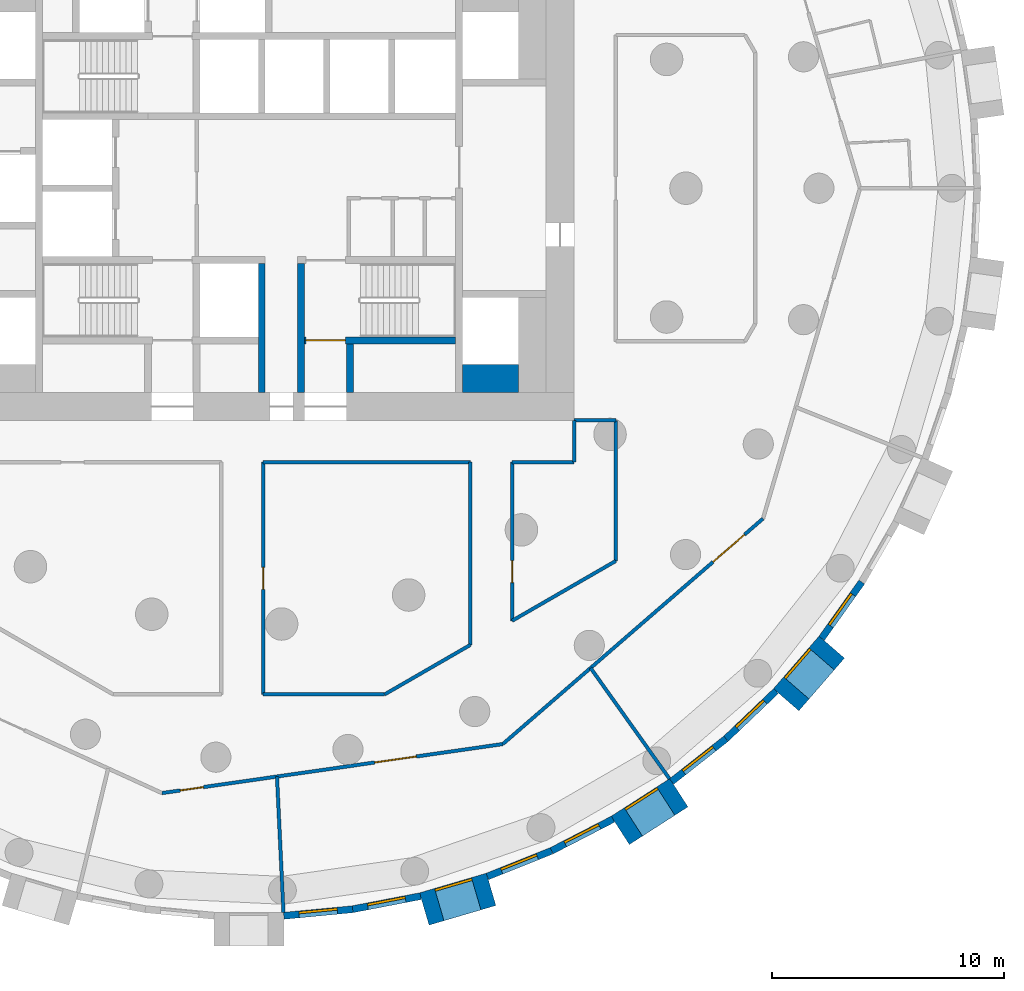
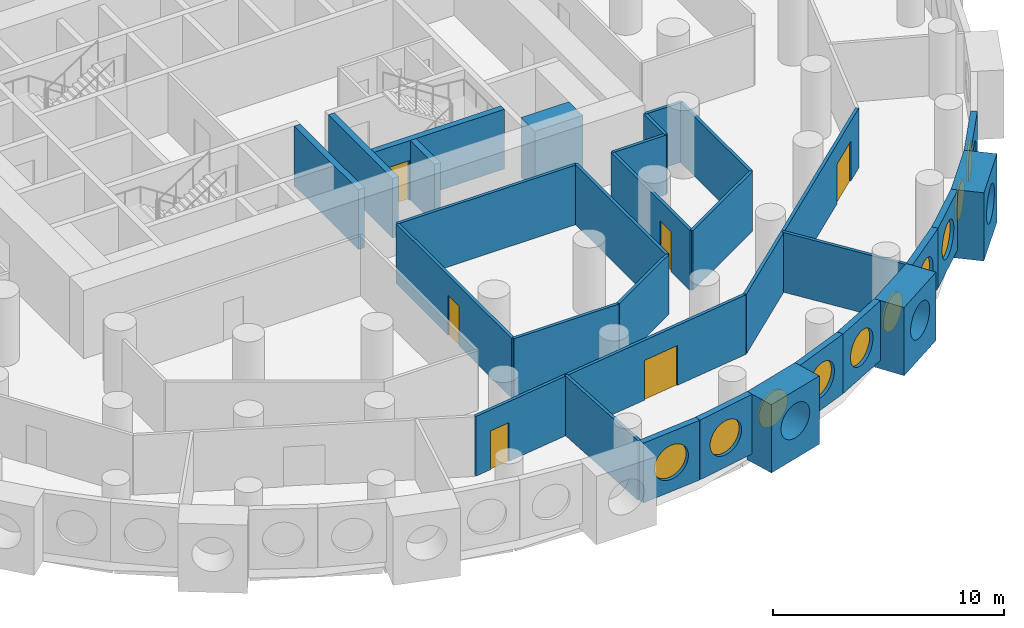
# One storey, part 5 of 12: 30 walls, 10 windows, 6 doors, 16 openings.
"""IFC4 building model written with IfcOpenShell, lengths in metres."""

from ifc_helpers import new_model, si_unit, direction, frame, frame_2d, origin, origin_2d, place, context, subcontext, project, spatial, rectangle, circle, extrude, material, layer, layer_set, type_object, element, fill, save


model = new_model("IFC4")

# Units and contexts
model_context = context("Model", 3, precision=1e-05, world=origin(), true_north=direction((0.0, 1.0)))
body_context = subcontext(model_context, "Body", "Model", "MODEL_VIEW")
ifc_project = project(units=[si_unit("LENGTHUNIT", "METRE"), si_unit("AREAUNIT", "SQUARE_METRE"), si_unit("VOLUMEUNIT", "CUBIC_METRE"), si_unit("PLANEANGLEUNIT", "RADIAN"), si_unit("MASSUNIT", "GRAM", prefix="KILO")], contexts=[model_context])

# Site, building, storey
site_placement = place(None, origin())
site = spatial("IfcSite", under=ifc_project, at=site_placement, CompositionType="ELEMENT")
building_placement = place(site_placement, origin())
building = spatial("IfcBuilding", under=site, at=building_placement, Name="Tracery Tower", CompositionType="ELEMENT")
storey_placement = place(building_placement, frame((0.0, 0.0, 111.0)))
storey = spatial("IfcBuildingStorey", under=building, at=storey_placement, Name="L28", CompositionType="ELEMENT", Elevation=111.0)

# Wall
ifc_material_1 = material(Name="Concrete C60/75", Category="concrete")
ifc_layer_1 = layer(ifc_material_1, 1.199951171875)
ifc_layer_set_1 = layer_set([ifc_layer_1], Name="Core strip wall 1200 C60")
wall_type_1 = type_object("IfcWallType", Name="Core strip wall 1200 C60", PredefinedType="SOLIDWALL", material=ifc_layer_set_1)
wall_1_placement = place(storey_placement, frame((9.199951171875, -8.199951171875, 0.0), z_axis=(0.0, 0.0, 1.0), x_axis=(1.0, 0.0, 0.0)))
element("IfcWall", 1, at=wall_1_placement, inside=storey, type_object=wall_type_1, Name="L28 wing corner +1 -8.2", PredefinedType="SOLIDWALL", context=body_context, shape_type="SweptSolid", body=[
    extrude(rectangle(XDim=2.400146484375, YDim=1.199951171875, at=frame_2d((1.2001953125, 0.0))), origin(), (0.0, 0.0, 1.0), 3.14990234375),
])

# Wall, opening, window
ifc_material_2 = material(Name="Precast concrete C50/60", Category="concrete")
ifc_layer_2 = layer(ifc_material_2, 1.449951171875)
ifc_layer_set_2 = layer_set([ifc_layer_2], Name="Deep-set bay unit 3000 x 3600, slab edge 450")
wall_type_2 = type_object("IfcWallType", Name="Deep-set bay unit 3000 x 3600, slab edge 450", PredefinedType="ELEMENTEDWALL", material=ifc_layer_set_2)
wall_2_placement = place(storey_placement, frame((7.552001953125, -31.043701171875, -0.449951171875), z_axis=(0.0, 0.0, 1.0), x_axis=(0.959489813418, 0.281743319258, 0.0)))
wall_2 = element("IfcWall", 2, at=wall_2_placement, inside=storey, type_object=wall_type_2, Name="Deep-set bay unit 53 at L28", PredefinedType="ELEMENTEDWALL", context=body_context, shape_type="SweptSolid", body=[
    extrude(rectangle(XDim=3.0, YDim=1.449951171875, at=frame_2d((1.5, 0.0))), origin(), (0.0, 0.0, 1.0), 3.599853515625),
])
opening_1_placement = place(wall_2_placement, frame((1.5, 0.0, 2.0)))
opening_1 = element("IfcOpeningElement", 3, at=opening_1_placement, cuts=wall_2, Name="Opening WN1", PredefinedType="OPENING", context=body_context, shape_type="SweptSolid", body=[
    extrude(circle(Radius=0.9000244140625, at=origin_2d()), frame((0.0, 0.73486328125, 0.0), z_axis=(0.0, -1.0, 0.0), x_axis=(1.0, 0.0, 0.0)), (0.0, 0.0, 1.0), 1.469970703125),
])
ifc_material_3 = material(Name="Aluminium frame with tinted double glazing", Category="aluminium")
window_type = type_object("IfcWindowType", Name="Round window 1800", PartitioningType="SINGLE_PANEL", PredefinedType="WINDOW", material=ifc_material_3)
window_1_placement = place(opening_1_placement, origin())
window_1 = element("IfcWindow", 4, at=window_1_placement, inside=storey, type_object=window_type, Name="Round window 53 at L28", OverallHeight=1.800048828125, OverallWidth=1.800048828125, PartitioningType="SINGLE_PANEL", PredefinedType="WINDOW", context=body_context, shape_type="SweptSolid", body=[
    extrude(circle(Radius=0.9000244140625, at=origin_2d()), frame((0.0, 0.69482421875, 0.0), z_axis=(0.0, -1.0, 0.0), x_axis=(1.0, 0.0, 0.0)), (0.0, 0.0, 1.0), 0.10009765625),
])
fill(opening_1, window_1)

wall_3_placement = place(storey_placement, frame((15.9921875, -27.65869140625, -0.449951171875), z_axis=(0.0, 0.0, 1.0), x_axis=(0.841223422347, 0.540687667415, 0.0)))
wall_3 = element("IfcWall", 5, at=wall_3_placement, inside=storey, type_object=wall_type_2, Name="Deep-set bay unit 56 at L28", PredefinedType="ELEMENTEDWALL", context=body_context, shape_type="SweptSolid", body=[
    extrude(rectangle(XDim=3.0, YDim=1.449951171875, at=frame_2d((1.5, 0.0))), origin(), (0.0, 0.0, 1.0), 3.599853515625),
])
opening_2_placement = place(wall_3_placement, frame((1.5, 0.0, 2.0)))
opening_2 = element("IfcOpeningElement", 6, at=opening_2_placement, cuts=wall_3, Name="Opening WN1", PredefinedType="OPENING", context=body_context, shape_type="SweptSolid", body=[
    extrude(circle(Radius=0.9000244140625, at=origin_2d()), frame((0.0, 0.73486328125, 0.0), z_axis=(0.0, -1.0, 0.0), x_axis=(1.0, 0.0, 0.0)), (0.0, 0.0, 1.0), 1.469970703125),
])
window_2_placement = place(opening_2_placement, origin())
window_2 = element("IfcWindow", 7, at=window_2_placement, inside=storey, type_object=window_type, Name="Round window 56 at L28", OverallHeight=1.800048828125, OverallWidth=1.800048828125, PartitioningType="SINGLE_PANEL", PredefinedType="WINDOW", context=body_context, shape_type="SweptSolid", body=[
    extrude(circle(Radius=0.9000244140625, at=origin_2d()), frame((0.0, 0.69482421875, 0.0), z_axis=(0.0, -1.0, 0.0), x_axis=(1.0, 0.0, 0.0)), (0.0, 0.0, 1.0), 0.10009765625),
])
fill(opening_2, window_2)

wall_4_placement = place(storey_placement, frame((23.13671875, -22.03271484375, -0.449951171875), z_axis=(0.0, 0.0, 1.0), x_axis=(0.654890259022, 0.75572398972, 0.0)))
wall_4 = element("IfcWall", 8, at=wall_4_placement, inside=storey, type_object=wall_type_2, Name="Deep-set bay unit 59 at L28", PredefinedType="ELEMENTEDWALL", context=body_context, shape_type="SweptSolid", body=[
    extrude(rectangle(XDim=3.0, YDim=1.449951171875, at=frame_2d((1.5, 0.0))), origin(), (0.0, 0.0, 1.0), 3.599853515625),
])
opening_3_placement = place(wall_4_placement, frame((1.5, 0.0, 2.0)))
opening_3 = element("IfcOpeningElement", 9, at=opening_3_placement, cuts=wall_4, Name="Opening WN1", PredefinedType="OPENING", context=body_context, shape_type="SweptSolid", body=[
    extrude(circle(Radius=0.9000244140625, at=origin_2d()), frame((0.0, 0.73486328125, 0.0), z_axis=(0.0, -1.0, 0.0), x_axis=(1.0, 0.0, 0.0)), (0.0, 0.0, 1.0), 1.469970703125),
])
window_3_placement = place(opening_3_placement, origin())
window_3 = element("IfcWindow", 10, at=window_3_placement, inside=storey, type_object=window_type, Name="Round window 59 at L28", OverallHeight=1.800048828125, OverallWidth=1.800048828125, PartitioningType="SINGLE_PANEL", PredefinedType="WINDOW", context=body_context, shape_type="SweptSolid", body=[
    extrude(circle(Radius=0.9000244140625, at=origin_2d()), frame((0.0, 0.69482421875, 0.0), z_axis=(0.0, -1.0, 0.0), x_axis=(1.0, 0.0, 0.0)), (0.0, 0.0, 1.0), 0.10009765625),
])
fill(opening_3, window_3)

ifc_material_4 = material(Name="Precast concrete C50/60", Category="concrete")
ifc_layer_3 = layer(ifc_material_4, 0.300048828125)
ifc_layer_set_3 = layer_set([ifc_layer_3], Name="Facade panel 3000 x 3150")
wall_type_3 = type_object("IfcWallType", Name="Facade panel 3000 x 3150", PredefinedType="SOLIDWALL", material=ifc_layer_set_3)
wall_5_placement = place(storey_placement, frame((1.498779296875, -31.33837890625, 0.0), z_axis=(0.0, 0.0, 1.0), x_axis=(0.995473351551, 0.095041077185, 0.0)))
wall_5 = element("IfcWall", 11, at=wall_5_placement, inside=storey, type_object=wall_type_3, Name="Facade panel 51 at L28", PredefinedType="SOLIDWALL", context=body_context, shape_type="SweptSolid", body=[
    extrude(rectangle(XDim=2.979736328125, YDim=0.300048828125, at=frame_2d((1.48974609375, 0.0))), origin(), (0.0, 0.0, 1.0), 3.14990234375),
])
opening_4_placement = place(wall_5_placement, frame((1.48974609375, 0.0, 1.5498046875)))
opening_4 = element("IfcOpeningElement", 12, at=opening_4_placement, cuts=wall_5, Name="Opening WN1", PredefinedType="OPENING", context=body_context, shape_type="SweptSolid", body=[
    extrude(circle(Radius=0.9000244140625, at=origin_2d()), frame((0.0, 0.159912109375, 0.0), z_axis=(0.0, -1.0, 0.0), x_axis=(1.0, 0.0, 0.0)), (0.0, 0.0, 1.0), 0.320068359375),
])
window_4_placement = place(opening_4_placement, origin())
window_4 = element("IfcWindow", 13, at=window_4_placement, inside=storey, type_object=window_type, Name="Round window 51 at L28", OverallHeight=1.800048828125, OverallWidth=1.800048828125, PartitioningType="SINGLE_PANEL", PredefinedType="WINDOW", context=body_context, shape_type="SweptSolid", body=[
    extrude(circle(Radius=0.9000244140625, at=origin_2d()), frame((0.0, 0.1201171875, 0.0), z_axis=(0.0, -1.0, 0.0), x_axis=(1.0, 0.0, 0.0)), (0.0, 0.0, 1.0), 0.10009765625),
])
fill(opening_4, window_4)

wall_6_placement = place(storey_placement, frame((4.465087890625, -31.05517578125, 0.0), z_axis=(0.0, 0.0, 1.0), x_axis=(0.981924535406, 0.189272836848, 0.0)))
wall_6 = element("IfcWall", 14, at=wall_6_placement, inside=storey, type_object=wall_type_3, Name="Facade panel 52 at L28", PredefinedType="SOLIDWALL", context=body_context, shape_type="SweptSolid", body=[
    extrude(rectangle(XDim=2.979736328125, YDim=0.300048828125, at=frame_2d((1.48974609375, 0.0))), origin(), (0.0, 0.0, 1.0), 3.14990234375),
])
opening_5_placement = place(wall_6_placement, frame((1.48974609375, 0.0, 1.5498046875)))
opening_5 = element("IfcOpeningElement", 15, at=opening_5_placement, cuts=wall_6, Name="Opening WN1", PredefinedType="OPENING", context=body_context, shape_type="SweptSolid", body=[
    extrude(circle(Radius=0.9000244140625, at=origin_2d()), frame((0.0, 0.159912109375, 0.0), z_axis=(0.0, -1.0, 0.0), x_axis=(1.0, 0.0, 0.0)), (0.0, 0.0, 1.0), 0.320068359375),
])
window_5_placement = place(opening_5_placement, origin())
window_5 = element("IfcWindow", 16, at=window_5_placement, inside=storey, type_object=window_type, Name="Round window 52 at L28", OverallHeight=1.800048828125, OverallWidth=1.800048828125, PartitioningType="SINGLE_PANEL", PredefinedType="WINDOW", context=body_context, shape_type="SweptSolid", body=[
    extrude(circle(Radius=0.9000244140625, at=origin_2d()), frame((0.0, 0.1201171875, 0.0), z_axis=(0.0, -1.0, 0.0), x_axis=(1.0, 0.0, 0.0)), (0.0, 0.0, 1.0), 0.10009765625),
])
fill(opening_5, window_5)

wall_7_placement = place(storey_placement, frame((10.26708984375, -29.646484375, 0.0), z_axis=(0.0, 0.0, 1.0), x_axis=(0.928403213937, 0.371574316054, 0.0)))
wall_7 = element("IfcWall", 17, at=wall_7_placement, inside=storey, type_object=wall_type_3, Name="Facade panel 54 at L28", PredefinedType="SOLIDWALL", context=body_context, shape_type="SweptSolid", body=[
    extrude(rectangle(XDim=2.979736328125, YDim=0.300048828125, at=frame_2d((1.48974609375, 0.0))), origin(), (0.0, 0.0, 1.0), 3.14990234375),
])
opening_6_placement = place(wall_7_placement, frame((1.48974609375, 0.0, 1.5498046875)))
opening_6 = element("IfcOpeningElement", 18, at=opening_6_placement, cuts=wall_7, Name="Opening WN1", PredefinedType="OPENING", context=body_context, shape_type="SweptSolid", body=[
    extrude(circle(Radius=0.9000244140625, at=origin_2d()), frame((0.0, 0.159912109375, 0.0), z_axis=(0.0, -1.0, 0.0), x_axis=(1.0, 0.0, 0.0)), (0.0, 0.0, 1.0), 0.320068359375),
])
window_6_placement = place(opening_6_placement, origin())
window_6 = element("IfcWindow", 19, at=window_6_placement, inside=storey, type_object=window_type, Name="Round window 54 at L28", OverallHeight=1.800048828125, OverallWidth=1.800048828125, PartitioningType="SINGLE_PANEL", PredefinedType="WINDOW", context=body_context, shape_type="SweptSolid", body=[
    extrude(circle(Radius=0.9000244140625, at=origin_2d()), frame((0.0, 0.1201171875, 0.0), z_axis=(0.0, -1.0, 0.0), x_axis=(1.0, 0.0, 0.0)), (0.0, 0.0, 1.0), 0.10009765625),
])
fill(opening_6, window_6)

wall_8_placement = place(storey_placement, frame((13.033447265625, -28.539306640625, 0.0), z_axis=(0.0, 0.0, 1.0), x_axis=(0.888819853856, 0.458256770153, 0.0)))
wall_8 = element("IfcWall", 20, at=wall_8_placement, inside=storey, type_object=wall_type_3, Name="Facade panel 55 at L28", PredefinedType="SOLIDWALL", context=body_context, shape_type="SweptSolid", body=[
    extrude(rectangle(XDim=2.979736328125, YDim=0.300048828125, at=frame_2d((1.48974609375, 0.0))), origin(), (0.0, 0.0, 1.0), 3.14990234375),
])
opening_7_placement = place(wall_8_placement, frame((1.48974609375, 0.0, 1.5498046875)))
opening_7 = element("IfcOpeningElement", 21, at=opening_7_placement, cuts=wall_8, Name="Opening WN1", PredefinedType="OPENING", context=body_context, shape_type="SweptSolid", body=[
    extrude(circle(Radius=0.9000244140625, at=origin_2d()), frame((0.0, 0.159912109375, 0.0), z_axis=(0.0, -1.0, 0.0), x_axis=(1.0, 0.0, 0.0)), (0.0, 0.0, 1.0), 0.320068359375),
])
window_7_placement = place(opening_7_placement, origin())
window_7 = element("IfcWindow", 22, at=window_7_placement, inside=storey, type_object=window_type, Name="Round window 55 at L28", OverallHeight=1.800048828125, OverallWidth=1.800048828125, PartitioningType="SINGLE_PANEL", PredefinedType="WINDOW", context=body_context, shape_type="SweptSolid", body=[
    extrude(circle(Radius=0.9000244140625, at=origin_2d()), frame((0.0, 0.1201171875, 0.0), z_axis=(0.0, -1.0, 0.0), x_axis=(1.0, 0.0, 0.0)), (0.0, 0.0, 1.0), 0.10009765625),
])
fill(opening_7, window_7)

wall_9_placement = place(storey_placement, frame((18.20361328125, -25.55322265625, 0.0), z_axis=(0.0, 0.0, 1.0), x_axis=(0.786045331304, 0.618168858108, 0.0)))
wall_9 = element("IfcWall", 23, at=wall_9_placement, inside=storey, type_object=wall_type_3, Name="Facade panel 57 at L28", PredefinedType="SOLIDWALL", context=body_context, shape_type="SweptSolid", body=[
    extrude(rectangle(XDim=2.979736328125, YDim=0.300048828125, at=frame_2d((1.48974609375, 0.0))), origin(), (0.0, 0.0, 1.0), 3.14990234375),
])
opening_8_placement = place(wall_9_placement, frame((1.48974609375, 0.0, 1.5498046875)))
opening_8 = element("IfcOpeningElement", 24, at=opening_8_placement, cuts=wall_9, Name="Opening WN1", PredefinedType="OPENING", context=body_context, shape_type="SweptSolid", body=[
    extrude(circle(Radius=0.9000244140625, at=origin_2d()), frame((0.0, 0.159912109375, 0.0), z_axis=(0.0, -1.0, 0.0), x_axis=(1.0, 0.0, 0.0)), (0.0, 0.0, 1.0), 0.320068359375),
])
window_8_placement = place(opening_8_placement, origin())
window_8 = element("IfcWindow", 25, at=window_8_placement, inside=storey, type_object=window_type, Name="Round window 57 at L28", OverallHeight=1.800048828125, OverallWidth=1.800048828125, PartitioningType="SINGLE_PANEL", PredefinedType="WINDOW", context=body_context, shape_type="SweptSolid", body=[
    extrude(circle(Radius=0.9000244140625, at=origin_2d()), frame((0.0, 0.1201171875, 0.0), z_axis=(0.0, -1.0, 0.0), x_axis=(1.0, 0.0, 0.0)), (0.0, 0.0, 1.0), 0.10009765625),
])
fill(opening_8, window_8)

wall_10_placement = place(storey_placement, frame((20.5458984375, -23.711181640625, 0.0), z_axis=(0.0, 0.0, 1.0), x_axis=(0.723744206617, 0.690068346896, 0.0)))
wall_10 = element("IfcWall", 26, at=wall_10_placement, inside=storey, type_object=wall_type_3, Name="Facade panel 58 at L28", PredefinedType="SOLIDWALL", context=body_context, shape_type="SweptSolid", body=[
    extrude(rectangle(XDim=2.979736328125, YDim=0.300048828125, at=frame_2d((1.48974609375, 0.0))), origin(), (0.0, 0.0, 1.0), 3.14990234375),
])
opening_9_placement = place(wall_10_placement, frame((1.48974609375, 0.0, 1.5498046875)))
opening_9 = element("IfcOpeningElement", 27, at=opening_9_placement, cuts=wall_10, Name="Opening WN1", PredefinedType="OPENING", context=body_context, shape_type="SweptSolid", body=[
    extrude(circle(Radius=0.9000244140625, at=origin_2d()), frame((0.0, 0.159912109375, 0.0), z_axis=(0.0, -1.0, 0.0), x_axis=(1.0, 0.0, 0.0)), (0.0, 0.0, 1.0), 0.320068359375),
])
window_9_placement = place(opening_9_placement, origin())
window_9 = element("IfcWindow", 28, at=window_9_placement, inside=storey, type_object=window_type, Name="Round window 58 at L28", OverallHeight=1.800048828125, OverallWidth=1.800048828125, PartitioningType="SINGLE_PANEL", PredefinedType="WINDOW", context=body_context, shape_type="SweptSolid", body=[
    extrude(circle(Radius=0.9000244140625, at=origin_2d()), frame((0.0, 0.1201171875, 0.0), z_axis=(0.0, -1.0, 0.0), x_axis=(1.0, 0.0, 0.0)), (0.0, 0.0, 1.0), 0.10009765625),
])
fill(opening_9, window_9)

wall_11_placement = place(storey_placement, frame((24.66552734375, -19.389404296875, 0.0), z_axis=(0.0, 0.0, 1.0), x_axis=(0.580059407678, 0.81457417315, 0.0)))
wall_11 = element("IfcWall", 29, at=wall_11_placement, inside=storey, type_object=wall_type_3, Name="Facade panel 60 at L28", PredefinedType="SOLIDWALL", context=body_context, shape_type="SweptSolid", body=[
    extrude(rectangle(XDim=2.9794921875, YDim=0.300048828125, at=frame_2d((1.48974609375, 0.0))), origin(), (0.0, 0.0, 1.0), 3.14990234375),
])
opening_10_placement = place(wall_11_placement, frame((1.48974609375, 0.0, 1.5498046875)))
opening_10 = element("IfcOpeningElement", 30, at=opening_10_placement, cuts=wall_11, Name="Opening WN1", PredefinedType="OPENING", context=body_context, shape_type="SweptSolid", body=[
    extrude(circle(Radius=0.9000244140625, at=origin_2d()), frame((0.0, 0.159912109375, 0.0), z_axis=(0.0, -1.0, 0.0), x_axis=(1.0, 0.0, 0.0)), (0.0, 0.0, 1.0), 0.320068359375),
])
window_10_placement = place(opening_10_placement, origin())
window_10 = element("IfcWindow", 31, at=window_10_placement, inside=storey, type_object=window_type, Name="Round window 60 at L28", OverallHeight=1.800048828125, OverallWidth=1.800048828125, PartitioningType="SINGLE_PANEL", PredefinedType="WINDOW", context=body_context, shape_type="SweptSolid", body=[
    extrude(circle(Radius=0.9000244140625, at=origin_2d()), frame((0.0, 0.1201171875, 0.0), z_axis=(0.0, -1.0, 0.0), x_axis=(1.0, 0.0, 0.0)), (0.0, 0.0, 1.0), 0.10009765625),
])
fill(opening_10, window_10)

# Walls
ifc_material_5 = material(Name="Plasterboard on steel studs", Category="steel")
ifc_layer_4 = layer(ifc_material_5, 0.14990234375)
ifc_layer_set_4 = layer_set([ifc_layer_4], Name="Partition 150 acoustic unit wall")
wall_type_4 = type_object("IfcWallType", Name="Partition 150 acoustic unit wall", PredefinedType="PARTITIONING", material=ifc_layer_set_4)
wall_12_placement = place(storey_placement, frame((1.20703125, -25.339111328125, 0.0), z_axis=(0.0, 0.0, 1.0), x_axis=(0.047648334785, -0.998864173045, 0.0)))
element("IfcWall", 32, at=wall_12_placement, inside=storey, type_object=wall_type_4, Name="Unit wall RA8-114", PredefinedType="PARTITIONING", context=body_context, shape_type="SweptSolid", body=[
    extrude(rectangle(XDim=5.8564453125, YDim=0.14990234375, at=frame_2d((2.92822265625, 0.0))), origin(), (0.0, 0.0, 1.0), 3.14990234375),
])
wall_13_placement = place(storey_placement, frame((14.715087890625, -20.6640625, 0.0), z_axis=(0.0, 0.0, 1.0), x_axis=(0.580007254017, -0.814611309329, 0.0)))
element("IfcWall", 33, at=wall_13_placement, inside=storey, type_object=wall_type_4, Name="Unit wall RA8-115", PredefinedType="PARTITIONING", context=body_context, shape_type="SweptSolid", body=[
    extrude(rectangle(XDim=5.856689453125, YDim=0.14990234375, at=frame_2d((2.92822265625, 0.0))), origin(), (0.0, 0.0, 1.0), 3.14990234375),
])
ifc_material_6 = material(Name="Plasterboard on steel studs", Category="steel")
ifc_layer_5 = layer(ifc_material_6, 0.14990234375)
ifc_layer_set_5 = layer_set([ifc_layer_5], Name="Partition 150 corridor wall")
wall_type_5 = type_object("IfcWallType", Name="Partition 150 corridor wall", PredefinedType="PARTITIONING", material=ifc_layer_set_5)
wall_14_placement = place(storey_placement, frame((0.60400390625, -11.800048828125, 0.0), z_axis=(0.0, 0.0, 1.0), x_axis=(1.0, 0.0, 0.0)))
element("IfcWall", 34, at=wall_14_placement, inside=storey, type_object=wall_type_5, Name="Corridor wall RA8-007", PredefinedType="PARTITIONING", context=body_context, shape_type="SweptSolid", body=[
    extrude(rectangle(XDim=8.93603515625, YDim=0.14990234375, at=frame_2d((4.468017578125, 0.0))), origin(), (0.0, 0.0, 1.0), 3.14990234375),
])
wall_15_placement = place(storey_placement, frame((14.0, -11.800048828125, 0.0), z_axis=(0.0, 0.0, 1.0), x_axis=(0.0, 1.0, 0.0)))
element("IfcWall", 35, at=wall_15_placement, inside=storey, type_object=wall_type_5, Name="Corridor wall RA8-008", PredefinedType="PARTITIONING", context=body_context, shape_type="SweptSolid", body=[
    extrude(rectangle(XDim=1.800048828125, YDim=0.14990234375, at=frame_2d((0.89990234375, 0.0))), origin(), (0.0, 0.0, 1.0), 3.14990234375),
])
wall_16_placement = place(storey_placement, frame((11.33203125, -11.800048828125, 0.0), z_axis=(0.0, 0.0, 1.0), x_axis=(1.0, 0.0, 0.0)))
element("IfcWall", 36, at=wall_16_placement, inside=storey, type_object=wall_type_5, Name="Corridor wall RA8-009", PredefinedType="PARTITIONING", context=body_context, shape_type="SweptSolid", body=[
    extrude(rectangle(XDim=2.66796875, YDim=0.14990234375, at=frame_2d((1.333984375, 0.0))), origin(), (0.0, 0.0, 1.0), 3.14990234375),
])
wall_17_placement = place(storey_placement, frame((14.0, -10.0, 0.0), z_axis=(0.0, 0.0, 1.0), x_axis=(1.0, 0.0, 0.0)))
element("IfcWall", 37, at=wall_17_placement, inside=storey, type_object=wall_type_5, Name="Corridor wall RA8-011", PredefinedType="PARTITIONING", context=body_context, shape_type="SweptSolid", body=[
    extrude(rectangle(XDim=1.800048828125, YDim=0.14990234375, at=frame_2d((0.89990234375, 0.0))), origin(), (0.0, 0.0, 1.0), 3.14990234375),
])
wall_18_placement = place(storey_placement, frame((15.800048828125, -16.052978515625, 0.0), z_axis=(0.0, 0.0, 1.0), x_axis=(0.0, 1.0, 0.0)))
element("IfcWall", 38, at=wall_18_placement, inside=storey, type_object=wall_type_5, Name="Corridor wall RA8-015", PredefinedType="PARTITIONING", context=body_context, shape_type="SweptSolid", body=[
    extrude(rectangle(XDim=6.056884765625, YDim=0.14990234375, at=frame_2d((3.0283203125, 0.0))), origin(), (0.0, 0.0, 1.0), 3.14990234375),
])

# Wall, opening, door
wall_19_placement = place(storey_placement, frame((10.93310546875, -23.940185546875, 0.0), z_axis=(0.0, 0.0, 1.0), x_axis=(0.755770011705, 0.654837147242, 0.0)))
wall_19 = element("IfcWall", 39, at=wall_19_placement, inside=storey, type_object=wall_type_5, Name="Corridor wall RA8-024", PredefinedType="PARTITIONING", context=body_context, shape_type="SweptSolid", body=[
    extrude(rectangle(XDim=14.829833984375, YDim=0.14990234375, at=frame_2d((7.4150390625, 0.0))), origin(), (0.0, 0.0, 1.0), 3.14990234375),
])
opening_11_placement = place(wall_19_placement, frame((11.975830078125, 0.0, 0.0)))
opening_11 = element("IfcOpeningElement", 40, at=opening_11_placement, cuts=wall_19, Name="Opening RA8-48", PredefinedType="OPENING", context=body_context, shape_type="SweptSolid", body=[
    extrude(rectangle(XDim=1.800048828125, YDim=2.10009765625, at=frame_2d((0.89990234375, 1.050048828125))), frame((0.0, 0.074951171875, 0.0), z_axis=(0.0, -1.0, 0.0), x_axis=(1.0, 0.0, 0.0)), (0.0, 0.0, 1.0), 0.14990234375),
])
ifc_material_7 = material(Name="Timber door leaf", Category="wood")
door_type_1 = type_object("IfcDoorType", Name="Door double lounge 1800", OperationType="NOTDEFINED", PredefinedType="DOOR", material=ifc_material_7)
door_1_placement = place(opening_11_placement, origin())
door_1 = element("IfcDoor", 41, at=door_1_placement, inside=storey, type_object=door_type_1, Name="Double lounge door RA8-48", OperationType="DOUBLE_DOOR_SINGLE_SWING", OverallHeight=2.10009765625, OverallWidth=1.800048828125, PredefinedType="DOOR", context=body_context, shape_type="SweptSolid", body=[
    extrude(rectangle(XDim=1.800048828125, YDim=2.10009765625, at=frame_2d((0.89990234375, 1.050048828125))), frame((0.0, 0.02490234375, 0.0), z_axis=(0.0, -1.0, 0.0), x_axis=(1.0, 0.0, 0.0)), (0.0, 0.0, 1.0), 0.050048828125),
])
fill(opening_11, door_1)

wall_20_placement = place(storey_placement, frame((0.60791015625, -21.802001953125, 0.0), z_axis=(0.0, 0.0, 1.0), x_axis=(0.0, 1.0, 0.0)))
wall_20 = element("IfcWall", 42, at=wall_20_placement, inside=storey, type_object=wall_type_5, Name="Corridor wall RA8-051", PredefinedType="PARTITIONING", context=body_context, shape_type="SweptSolid", body=[
    extrude(rectangle(XDim=10.001953125, YDim=0.14990234375, at=frame_2d((5.0009765625, 0.0))), origin(), (0.0, 0.0, 1.0), 3.14990234375),
])
opening_12_placement = place(wall_20_placement, frame((4.52587890625, 0.0, 0.0)))
opening_12 = element("IfcOpeningElement", 43, at=opening_12_placement, cuts=wall_20, Name="Opening RA8-05", PredefinedType="OPENING", context=body_context, shape_type="SweptSolid", body=[
    extrude(rectangle(XDim=0.949951171875, YDim=2.10009765625, at=frame_2d((0.47509765625, 1.050048828125))), frame((0.0, 0.074951171875, 0.0), z_axis=(0.0, -1.0, 0.0), x_axis=(1.0, 0.0, 0.0)), (0.0, 0.0, 1.0), 0.14990234375),
])
ifc_material_8 = material(Name="Timber door leaf", Category="wood")
door_type_2 = type_object("IfcDoorType", Name="Door store 950", OperationType="NOTDEFINED", PredefinedType="DOOR", material=ifc_material_8)
door_2_placement = place(opening_12_placement, origin())
door_2 = element("IfcDoor", 44, at=door_2_placement, inside=storey, type_object=door_type_2, Name="Store door RA8-05", OperationType="SINGLE_SWING_RIGHT", OverallHeight=2.10009765625, OverallWidth=0.949951171875, PredefinedType="DOOR", context=body_context, shape_type="SweptSolid", body=[
    extrude(rectangle(XDim=0.949951171875, YDim=2.10009765625, at=frame_2d((0.47509765625, 1.050048828125))), frame((0.0, 0.02490234375, 0.0), z_axis=(0.0, -1.0, 0.0), x_axis=(1.0, 0.0, 0.0)), (0.0, 0.0, 1.0), 0.050048828125),
])
fill(opening_12, door_2)

# Walls
wall_21_placement = place(storey_placement, frame((0.60791015625, -21.802001953125, 0.0), z_axis=(0.0, 0.0, 1.0), x_axis=(1.0, 0.0, 0.0)))
element("IfcWall", 45, at=wall_21_placement, inside=storey, type_object=wall_type_5, Name="Corridor wall RA8-052", PredefinedType="PARTITIONING", context=body_context, shape_type="SweptSolid", body=[
    extrude(rectangle(XDim=5.234130859375, YDim=0.14990234375, at=frame_2d((2.6171875, 0.0))), origin(), (0.0, 0.0, 1.0), 3.14990234375),
])
wall_22_placement = place(storey_placement, frame((5.842041015625, -21.802001953125, 0.0), z_axis=(0.0, 0.0, 1.0), x_axis=(0.865983505205, 0.500072563448, 0.0)))
element("IfcWall", 46, at=wall_22_placement, inside=storey, type_object=wall_type_5, Name="Corridor wall RA8-053", PredefinedType="PARTITIONING", context=body_context, shape_type="SweptSolid", body=[
    extrude(rectangle(XDim=4.265380859375, YDim=0.14990234375, at=frame_2d((2.1328125, 0.0))), origin(), (0.0, 0.0, 1.0), 3.14990234375),
])
wall_23_placement = place(storey_placement, frame((9.535888671875, -19.6689453125, 0.0), z_axis=(0.0, 0.0, 1.0), x_axis=(0.0, 1.0, 0.0)))
element("IfcWall", 47, at=wall_23_placement, inside=storey, type_object=wall_type_5, Name="Corridor wall RA8-054", PredefinedType="PARTITIONING", context=body_context, shape_type="SweptSolid", body=[
    extrude(rectangle(XDim=7.868896484375, YDim=0.14990234375, at=frame_2d((3.9345703125, 0.0))), origin(), (0.0, 0.0, 1.0), 3.14990234375),
])

# Wall, opening, door
wall_24_placement = place(storey_placement, frame((11.3359375, -18.6298828125, 0.0), z_axis=(0.0, 0.0, 1.0), x_axis=(0.0, 1.0, 0.0)))
wall_24 = element("IfcWall", 48, at=wall_24_placement, inside=storey, type_object=wall_type_5, Name="Corridor wall RA8-055", PredefinedType="PARTITIONING", context=body_context, shape_type="SweptSolid", body=[
    extrude(rectangle(XDim=6.829833984375, YDim=0.14990234375, at=frame_2d((3.4150390625, 0.0))), origin(), (0.0, 0.0, 1.0), 3.14990234375),
])
opening_13_placement = place(wall_24_placement, frame((1.639892578125, 0.0, 0.0)))
opening_13 = element("IfcOpeningElement", 49, at=opening_13_placement, cuts=wall_24, Name="Opening RA8-06", PredefinedType="OPENING", context=body_context, shape_type="SweptSolid", body=[
    extrude(rectangle(XDim=0.949951171875, YDim=2.10009765625, at=frame_2d((0.47509765625, 1.050048828125))), frame((0.0, 0.074951171875, 0.0), z_axis=(0.0, -1.0, 0.0), x_axis=(1.0, 0.0, 0.0)), (0.0, 0.0, 1.0), 0.14990234375),
])
door_3_placement = place(opening_13_placement, origin())
door_3 = element("IfcDoor", 50, at=door_3_placement, inside=storey, type_object=door_type_2, Name="Store door RA8-06", OperationType="SINGLE_SWING_RIGHT", OverallHeight=2.10009765625, OverallWidth=0.949951171875, PredefinedType="DOOR", context=body_context, shape_type="SweptSolid", body=[
    extrude(rectangle(XDim=0.949951171875, YDim=2.10009765625, at=frame_2d((0.47509765625, 1.050048828125))), frame((0.0, 0.02490234375, 0.0), z_axis=(0.0, -1.0, 0.0), x_axis=(1.0, 0.0, 0.0)), (0.0, 0.0, 1.0), 0.050048828125),
])
fill(opening_13, door_3)

# Wall
wall_25_placement = place(storey_placement, frame((11.3359375, -18.6298828125, 0.0), z_axis=(0.0, 0.0, 1.0), x_axis=(0.866063337164, 0.499934291702, 0.0)))
element("IfcWall", 51, at=wall_25_placement, inside=storey, type_object=wall_type_5, Name="Corridor wall RA8-056", PredefinedType="PARTITIONING", context=body_context, shape_type="SweptSolid", body=[
    extrude(rectangle(XDim=5.154541015625, YDim=0.14990234375, at=frame_2d((2.5771484375, 0.0))), origin(), (0.0, 0.0, 1.0), 3.14990234375),
])

# Wall, openings, doors
wall_26_placement = place(storey_placement, frame((-3.74609375, -26.051025390625, 0.0), z_axis=(0.0, 0.0, 1.0), x_axis=(0.9898137179, 0.142368549395, 0.0)))
wall_26 = element("IfcWall", 52, at=wall_26_placement, inside=storey, type_object=wall_type_5, Name="Corridor wall RA8-058", PredefinedType="PARTITIONING", context=body_context, shape_type="SweptSolid", body=[
    extrude(rectangle(XDim=14.830078125, YDim=0.14990234375, at=frame_2d((7.4150390625, 0.0))), origin(), (0.0, 0.0, 1.0), 3.14990234375),
])
opening_14_placement = place(wall_26_placement, frame((0.803955078125, 0.0, 0.0)))
opening_14 = element("IfcOpeningElement", 53, at=opening_14_placement, cuts=wall_26, Name="Opening RA8-46", PredefinedType="OPENING", context=body_context, shape_type="SweptSolid", body=[
    extrude(rectangle(XDim=1.0, YDim=2.0400390625, at=frame_2d((0.5, 1.02001953125))), frame((0.0, 0.074951171875, 0.0), z_axis=(0.0, -1.0, 0.0), x_axis=(1.0, 0.0, 0.0)), (0.0, 0.0, 1.0), 0.14990234375),
])
opening_15_placement = place(wall_26_placement, frame((9.264892578125, 0.0, 0.0)))
opening_15 = element("IfcOpeningElement", 54, at=opening_15_placement, cuts=wall_26, Name="Opening RA8-47", PredefinedType="OPENING", context=body_context, shape_type="SweptSolid", body=[
    extrude(rectangle(XDim=1.800048828125, YDim=2.10009765625, at=frame_2d((0.89990234375, 1.050048828125))), frame((0.0, 0.074951171875, 0.0), z_axis=(0.0, -1.0, 0.0), x_axis=(1.0, 0.0, 0.0)), (0.0, 0.0, 1.0), 0.14990234375),
])
ifc_material_9 = material(Name="Timber door leaf", Category="wood")
door_type_3 = type_object("IfcDoorType", Name="Door communal room 1000", OperationType="NOTDEFINED", PredefinedType="DOOR", material=ifc_material_9)
door_4_placement = place(opening_14_placement, origin())
door_4 = element("IfcDoor", 55, at=door_4_placement, inside=storey, type_object=door_type_3, Name="Communal room door RA8-46", OperationType="SINGLE_SWING_RIGHT", OverallHeight=2.0400390625, OverallWidth=1.0, PredefinedType="DOOR", context=body_context, shape_type="SweptSolid", body=[
    extrude(rectangle(XDim=1.0, YDim=2.0400390625, at=frame_2d((0.5, 1.02001953125))), frame((0.0, 0.02490234375, 0.0), z_axis=(0.0, -1.0, 0.0), x_axis=(1.0, 0.0, 0.0)), (0.0, 0.0, 1.0), 0.050048828125),
])
fill(opening_14, door_4)
door_5_placement = place(opening_15_placement, origin())
door_5 = element("IfcDoor", 56, at=door_5_placement, inside=storey, type_object=door_type_1, Name="Double lounge door RA8-47", OperationType="DOUBLE_DOOR_SINGLE_SWING", OverallHeight=2.10009765625, OverallWidth=1.800048828125, PredefinedType="DOOR", context=body_context, shape_type="SweptSolid", body=[
    extrude(rectangle(XDim=1.800048828125, YDim=2.10009765625, at=frame_2d((0.89990234375, 1.050048828125))), frame((0.0, 0.02490234375, 0.0), z_axis=(0.0, -1.0, 0.0), x_axis=(1.0, 0.0, 0.0)), (0.0, 0.0, 1.0), 0.050048828125),
])
fill(opening_15, door_5)

# Walls
ifc_material_10 = material(Name="Concrete C60/75", Category="concrete")
ifc_layer_6 = layer(ifc_material_10, 0.300048828125)
ifc_layer_set_6 = layer_set([ifc_layer_6], Name="Shaft wall 300 C60")
wall_type_6 = type_object("IfcWallType", Name="Shaft wall 300 C60", PredefinedType="SOLIDWALL", material=ifc_layer_set_6)
wall_27_placement = place(storey_placement, frame((0.550048828125, -8.800048828125, 0.0), z_axis=(0.0, 0.0, 1.0), x_axis=(0.0, 1.0, 0.0)))
element("IfcWall", 57, at=wall_27_placement, inside=storey, type_object=wall_type_6, Name="L28 OB2 E", PredefinedType="SOLIDWALL", context=body_context, shape_type="SweptSolid", body=[
    extrude(rectangle(XDim=5.550048828125, YDim=0.300048828125, at=frame_2d((2.77490234375, 0.0))), origin(), (0.0, 0.0, 1.0), 3.14990234375),
])
wall_28_placement = place(storey_placement, frame((4.35009765625, -8.800048828125, 0.0), z_axis=(0.0, 0.0, 1.0), x_axis=(0.0, 1.0, 0.0)))
element("IfcWall", 58, at=wall_28_placement, inside=storey, type_object=wall_type_6, Name="L28 band S +4.35", PredefinedType="SOLIDWALL", context=body_context, shape_type="SweptSolid", body=[
    extrude(rectangle(XDim=2.10009765625, YDim=0.300048828125, at=frame_2d((1.050048828125, 0.0))), origin(), (0.0, 0.0, 1.0), 3.14990234375),
])
ifc_material_11 = material(Name="Concrete C60/75", Category="concrete")
ifc_layer_7 = layer(ifc_material_11, 0.300048828125)
ifc_layer_set_7 = layer_set([ifc_layer_7], Name="Stair wall 300 C60")
wall_type_7 = type_object("IfcWallType", Name="Stair wall 300 C60", PredefinedType="SOLIDWALL", material=ifc_layer_set_7)
wall_29_placement = place(storey_placement, frame((2.25, -8.800048828125, 0.0), z_axis=(0.0, 0.0, 1.0), x_axis=(0.0, 1.0, 0.0)))
element("IfcWall", 59, at=wall_29_placement, inside=storey, type_object=wall_type_7, Name="L28 ST2 W", PredefinedType="SOLIDWALL", context=body_context, shape_type="SweptSolid", body=[
    extrude(rectangle(XDim=5.550048828125, YDim=0.300048828125, at=frame_2d((2.77490234375, 0.0))), origin(), (0.0, 0.0, 1.0), 3.14990234375),
])

# Wall, opening, door
wall_30_placement = place(storey_placement, frame((2.39990234375, -6.550048828125, 0.0), z_axis=(0.0, 0.0, 1.0), x_axis=(1.0, 0.0, 0.0)))
wall_30 = element("IfcWall", 60, at=wall_30_placement, inside=storey, type_object=wall_type_7, Name="L28 F S E", PredefinedType="SOLIDWALL", context=body_context, shape_type="SweptSolid", body=[
    extrude(rectangle(XDim=6.5, YDim=0.300048828125, at=frame_2d((3.25, 0.0))), origin(), (0.0, 0.0, 1.0), 3.14990234375),
])
opening_16_placement = place(wall_30_placement, frame((0.050048828125, 0.0, 0.0)))
opening_16 = element("IfcOpeningElement", 61, at=opening_16_placement, cuts=wall_30, Name="Opening KD3", PredefinedType="OPENING", context=body_context, shape_type="SweptSolid", body=[
    extrude(rectangle(XDim=1.699951171875, YDim=2.10009765625, at=frame_2d((0.85009765625, 1.050048828125))), frame((0.0, 0.14990234375, 0.0), z_axis=(0.0, -1.0, 0.0), x_axis=(1.0, 0.0, 0.0)), (0.0, 0.0, 1.0), 0.300048828125),
])
ifc_material_12 = material(Name="Steel fire door", Category="steel")
door_type_4 = type_object("IfcDoorType", Name="Core stair door 1700 double", OperationType="NOTDEFINED", PredefinedType="DOOR", material=ifc_material_12)
door_6_placement = place(opening_16_placement, origin())
door_6 = element("IfcDoor", 62, at=door_6_placement, inside=storey, type_object=door_type_4, Name="Stair door ST2 S", OperationType="DOUBLE_DOOR_SINGLE_SWING", OverallHeight=2.10009765625, OverallWidth=1.699951171875, PredefinedType="DOOR", context=body_context, shape_type="SweptSolid", body=[
    extrude(rectangle(XDim=1.699951171875, YDim=2.10009765625, at=frame_2d((0.85009765625, 1.050048828125))), frame((0.0, 0.02490234375, 0.0), z_axis=(0.0, -1.0, 0.0), x_axis=(1.0, 0.0, 0.0)), (0.0, 0.0, 1.0), 0.050048828125),
])
fill(opening_16, door_6)

save(model, "model.ifc")
